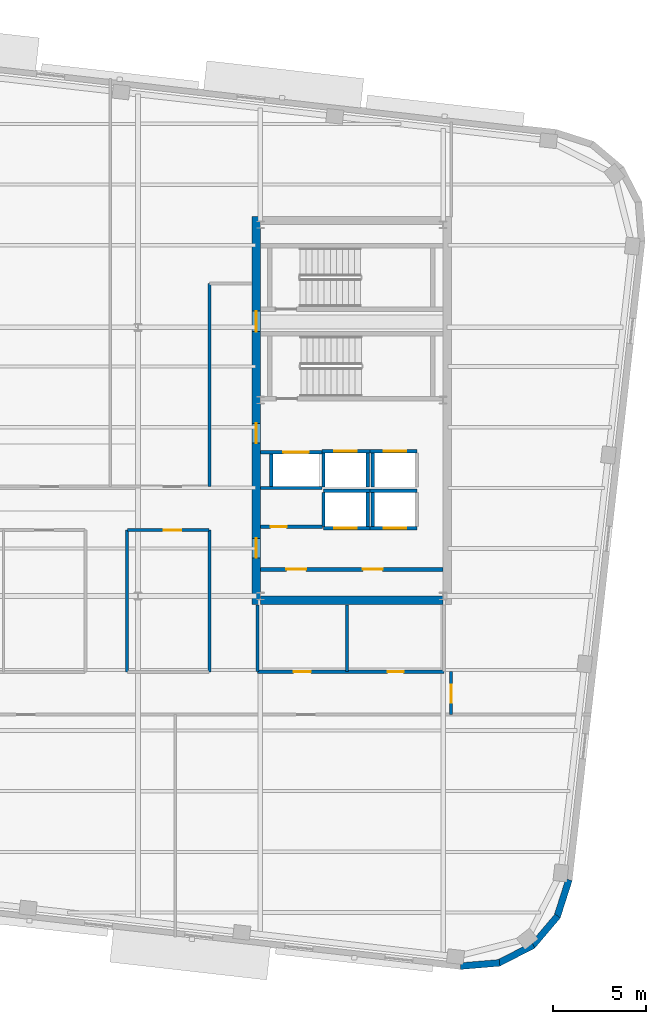
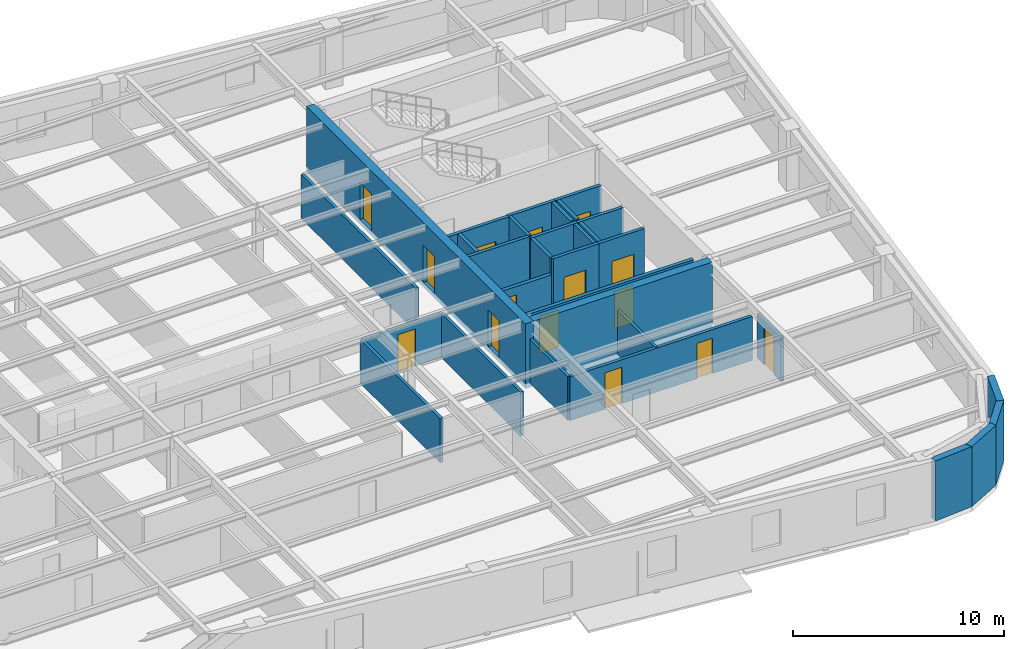
# One storey, part 7 of 13: 31 walls, 15 doors, 15 openings.
"""IFC4 building model written with IfcOpenShell, lengths in metres."""

from ifc_helpers import new_model, si_unit, direction, frame, frame_2d, origin, place, context, subcontext, project, spatial, rectangle, extrude, material, layer, layer_set, type_object, element, fill, save


model = new_model("IFC4")

# Units and contexts
model_context = context("Model", 3, precision=1e-05, world=origin(), true_north=direction((0.0, 1.0)))
body_context = subcontext(model_context, "Body", "Model", "MODEL_VIEW")
ifc_project = project(units=[si_unit("LENGTHUNIT", "METRE"), si_unit("AREAUNIT", "SQUARE_METRE"), si_unit("VOLUMEUNIT", "CUBIC_METRE"), si_unit("PLANEANGLEUNIT", "RADIAN"), si_unit("MASSUNIT", "GRAM", prefix="KILO")], contexts=[model_context])

# Site, building, storey
site_placement = place(None, origin())
site = spatial("IfcSite", under=ifc_project, at=site_placement, CompositionType="ELEMENT")
building_placement = place(site_placement, origin())
building = spatial("IfcBuilding", under=site, at=building_placement, Name="Kolvaren Arena Tower", CompositionType="ELEMENT")
storey_placement = place(building_placement, frame((0.0, 0.0, 243.449951171875)))
storey = spatial("IfcBuildingStorey", under=building, at=storey_placement, Name="L59", CompositionType="ELEMENT", Elevation=243.449951171875)

# Wall, opening, door
ifc_material_1 = material(Name="Gypsum board acoustic assembly", Category="gypsum")
ifc_layer_1 = layer(ifc_material_1, 0.159912109375)
ifc_layer_set_1 = layer_set([ifc_layer_1], Name="Gypsum board acoustic assembly")
wall_type_1 = type_object("IfcWallType", Name="CORR-160", PredefinedType="PARTITIONING", material=ifc_layer_set_1)
wall_1_placement = place(storey_placement, frame((43.43994140625, 22.97998046875, 0.0), z_axis=(0.0, 0.0, 1.0), x_axis=(1.0, 0.0, 0.0)))
wall_1 = element("IfcWall", 1, at=wall_1_placement, inside=storey, type_object=wall_type_1, Name="Interior Partition Wall (L59)", PredefinedType="PARTITIONING", context=body_context, shape_type="SweptSolid", body=[
    extrude(rectangle(XDim=4.360107421875, YDim=0.159912109375, at=frame_2d((2.18017578125, 0.0))), origin(), (0.0, 0.0, 1.0), 2.5400390625),
])
opening_1_placement = place(wall_1_placement, frame((1.93505859375, 0.0, 0.0)))
opening_1 = element("IfcOpeningElement", 2, at=opening_1_placement, cuts=wall_1, Name="Opening D05", PredefinedType="OPENING", context=body_context, shape_type="SweptSolid", body=[
    extrude(rectangle(XDim=0.949951171875, YDim=2.14990234375, at=frame_2d((0.47509765625, 1.074951171875))), frame((0.0, 0.08984375, 0.0), z_axis=(0.0, -1.0, 0.0), x_axis=(1.0, 0.0, 0.0)), (0.0, 0.0, 1.0), 0.179931640625),
])
ifc_material_2 = material(Name="Solid-core oak acoustic office door", Category="wood")
door_type_1 = type_object("IfcDoorType", Name="DOOR-OF-095", OperationType="NOTDEFINED", PredefinedType="DOOR", material=ifc_material_2)
door_1_placement = place(opening_1_placement, origin())
door_1 = element("IfcDoor", 3, at=door_1_placement, inside=storey, type_object=door_type_1, Name="Breakout Pantry and Kitchen Door (L59)", OperationType="SINGLE_SWING_LEFT", OverallHeight=2.14990234375, OverallWidth=0.949951171875, PredefinedType="DOOR", context=body_context, shape_type="SweptSolid", body=[
    extrude(rectangle(XDim=0.949951171875, YDim=2.14990234375, at=frame_2d((0.47509765625, 1.074951171875))), frame((0.0, 0.02490234375, 0.0), z_axis=(0.0, -1.0, 0.0), x_axis=(1.0, 0.0, 0.0)), (0.0, 0.0, 1.0), 0.050048828125),
])
fill(opening_1, door_1)

# Walls
for number, where, z_axis, x_axis, name in (
    (4, (43.419921875, 15.3798828125, 0.0), (0.0, 0.0, 1.0), (0.0, 1.0, 0.0), "Interior Partition Wall (L59)"),
    (5, (47.820068359375, 15.3798828125, 0.0), (0.0, 0.0, 1.0), (0.0, 1.0, 0.0), "Interior Partition Wall (L59)"),
):
    element("IfcWall", number, at=place(storey_placement, frame(where, z_axis=z_axis, x_axis=x_axis)), inside=storey, type_object=wall_type_1, Name=name, PredefinedType="PARTITIONING", context=body_context, shape_type="SweptSolid", body=[
        extrude(rectangle(XDim=7.60009765625, YDim=0.159912109375, at=frame_2d((3.800048828125, 0.0))), origin(), (0.0, 0.0, 1.0), 2.5400390625),
    ])
wall_2_placement = place(storey_placement, frame((47.820068359375, 25.320068359375, 0.0), z_axis=(0.0, 0.0, 1.0), x_axis=(0.0, 1.0, 0.0)))
element("IfcWall", 6, at=wall_2_placement, inside=storey, type_object=wall_type_1, Name="Interior Partition Wall (L59)", PredefinedType="PARTITIONING", context=body_context, shape_type="SweptSolid", body=[
    extrude(rectangle(XDim=10.8798828125, YDim=0.159912109375, at=frame_2d((5.43994140625, 0.0))), origin(), (0.0, 0.0, 1.0), 2.5400390625),
])

# Wall, opening, door
wall_3_placement = place(storey_placement, frame((60.780029296875, 13.10009765625, 0.0), z_axis=(0.0, 0.0, 1.0), x_axis=(0.0, 1.0, 0.0)))
wall_3 = element("IfcWall", 7, at=wall_3_placement, inside=storey, type_object=wall_type_1, Name="Interior Partition Wall (L59)", PredefinedType="PARTITIONING", context=body_context, shape_type="SweptSolid", body=[
    extrude(rectangle(XDim=2.2998046875, YDim=0.159912109375, at=frame_2d((1.14990234375, 0.0))), origin(), (0.0, 0.0, 1.0), 2.5400390625),
])
opening_2_placement = place(wall_3_placement, frame((0.64990234375, 0.0, 0.0)))
opening_2 = element("IfcOpeningElement", 8, at=opening_2_placement, cuts=wall_3, Name="Opening D05", PredefinedType="OPENING", context=body_context, shape_type="SweptSolid", body=[
    extrude(rectangle(XDim=0.949951171875, YDim=2.14990234375, at=frame_2d((0.47509765625, 1.074951171875))), frame((0.0, 0.08984375, 0.0), z_axis=(0.0, -1.0, 0.0), x_axis=(1.0, 0.0, 0.0)), (0.0, 0.0, 1.0), 0.179931640625),
])
door_2_placement = place(opening_2_placement, origin())
door_2 = element("IfcDoor", 9, at=door_2_placement, inside=storey, type_object=door_type_1, Name="East Wing Studio Door (L59)", OperationType="SINGLE_SWING_RIGHT", OverallHeight=2.14990234375, OverallWidth=0.949951171875, PredefinedType="DOOR", context=body_context, shape_type="SweptSolid", body=[
    extrude(rectangle(XDim=0.949951171875, YDim=2.14990234375, at=frame_2d((0.47509765625, 1.074951171875))), frame((0.0, 0.02490234375, 0.0), z_axis=(0.0, -1.0, 0.0), x_axis=(1.0, 0.0, 0.0)), (0.0, 0.0, 1.0), 0.050048828125),
])
fill(opening_2, door_2)

# Wall, openings, doors
ifc_material_3 = material(Name="Concrete 55 MPa", Category="concrete")
ifc_layer_2 = layer(ifc_material_3, 0.449951171875)
ifc_layer_set_2 = layer_set([ifc_layer_2], Name="Concrete 55 MPa")
wall_type_2 = type_object("IfcWallType", Name="CWALL-450", PredefinedType="SHEAR", material=ifc_layer_set_2)
wall_4_placement = place(storey_placement, frame((50.324951171875, 19.0, -0.27001953125), z_axis=(0.0, 0.0, 1.0), x_axis=(0.0, 1.0, 0.0)))
wall_4 = element("IfcWall", 10, at=wall_4_placement, inside=storey, type_object=wall_type_2, Name="Core Shear Wall EC-WEST (L59)", PredefinedType="SHEAR", context=body_context, shape_type="SweptSolid", body=[
    extrude(rectangle(XDim=20.800048828125, YDim=0.449951171875, at=frame_2d((10.39990234375, 0.0))), origin(), (0.0, 0.0, 1.0), 3.75),
])
opening_3_placement = place(wall_4_placement, frame((2.5, 0.0, 0.27001953125)))
opening_3 = element("IfcOpeningElement", 11, at=opening_3_placement, cuts=wall_4, Name="Opening D04", PredefinedType="OPENING", context=body_context, shape_type="SweptSolid", body=[
    extrude(rectangle(XDim=1.050048828125, YDim=2.14990234375, at=frame_2d((0.52490234375, 1.074951171875))), frame((0.0, 0.23486328125, 0.0), z_axis=(0.0, -1.0, 0.0), x_axis=(1.0, 0.0, 0.0)), (0.0, 0.0, 1.0), 0.469970703125),
])
opening_4_placement = place(wall_4_placement, frame((8.64990234375, 0.0, 0.27001953125)))
opening_4 = element("IfcOpeningElement", 12, at=opening_4_placement, cuts=wall_4, Name="Opening D04", PredefinedType="OPENING", context=body_context, shape_type="SweptSolid", body=[
    extrude(rectangle(XDim=1.050048828125, YDim=2.14990234375, at=frame_2d((0.52490234375, 1.074951171875))), frame((0.0, 0.23486328125, 0.0), z_axis=(0.0, -1.0, 0.0), x_axis=(1.0, 0.0, 0.0)), (0.0, 0.0, 1.0), 0.469970703125),
])
opening_5_placement = place(wall_4_placement, frame((14.6201171875, 0.0, 0.27001953125)))
opening_5 = element("IfcOpeningElement", 13, at=opening_5_placement, cuts=wall_4, Name="Opening D03", PredefinedType="OPENING", context=body_context, shape_type="SweptSolid", body=[
    extrude(rectangle(XDim=1.10009765625, YDim=2.14990234375, at=frame_2d((0.550048828125, 1.074951171875))), frame((0.0, 0.23486328125, 0.0), z_axis=(0.0, -1.0, 0.0), x_axis=(1.0, 0.0, 0.0)), (0.0, 0.0, 1.0), 0.469970703125),
])
ifc_material_4 = material(Name="Fire-rated steel lobby door", Category="steel")
door_type_2 = type_object("IfcDoorType", Name="DOOR-FF-105", OperationType="NOTDEFINED", PredefinedType="DOOR", material=ifc_material_4)
door_3_placement = place(opening_3_placement, origin())
door_3 = element("IfcDoor", 14, at=door_3_placement, inside=storey, type_object=door_type_2, Name="East Lift Lobby Fire Door (L59)", OperationType="SINGLE_SWING_RIGHT", OverallHeight=2.14990234375, OverallWidth=1.050048828125, PredefinedType="DOOR", context=body_context, shape_type="SweptSolid", body=[
    extrude(rectangle(XDim=1.050048828125, YDim=2.14990234375, at=frame_2d((0.52490234375, 1.074951171875))), frame((0.0, 0.02490234375, 0.0), z_axis=(0.0, -1.0, 0.0), x_axis=(1.0, 0.0, 0.0)), (0.0, 0.0, 1.0), 0.050048828125),
])
fill(opening_3, door_3)
door_4_placement = place(opening_4_placement, origin())
door_4 = element("IfcDoor", 15, at=door_4_placement, inside=storey, type_object=door_type_2, Name="East Firefighter Vestibule Door (L59)", OperationType="SINGLE_SWING_LEFT", OverallHeight=2.14990234375, OverallWidth=1.050048828125, PredefinedType="DOOR", context=body_context, shape_type="SweptSolid", body=[
    extrude(rectangle(XDim=1.050048828125, YDim=2.14990234375, at=frame_2d((0.52490234375, 1.074951171875))), frame((0.0, 0.02490234375, 0.0), z_axis=(0.0, -1.0, 0.0), x_axis=(1.0, 0.0, 0.0)), (0.0, 0.0, 1.0), 0.050048828125),
])
fill(opening_4, door_4)
ifc_material_5 = material(Name="Fire-rated steel exit stair door", Category="steel")
door_type_3 = type_object("IfcDoorType", Name="DOOR-ST-110", OperationType="NOTDEFINED", PredefinedType="DOOR", material=ifc_material_5)
door_5_placement = place(opening_5_placement, origin())
door_5 = element("IfcDoor", 16, at=door_5_placement, inside=storey, type_object=door_type_3, Name="Stair ST-E2 Vestibule Fire Door (L59)", OperationType="SINGLE_SWING_LEFT", OverallHeight=2.14990234375, OverallWidth=1.10009765625, PredefinedType="DOOR", context=body_context, shape_type="SweptSolid", body=[
    extrude(rectangle(XDim=1.10009765625, YDim=2.14990234375, at=frame_2d((0.550048828125, 1.074951171875))), frame((0.0, 0.02490234375, 0.0), z_axis=(0.0, -1.0, 0.0), x_axis=(1.0, 0.0, 0.0)), (0.0, 0.0, 1.0), 0.050048828125),
])
fill(opening_5, door_5)

# Walls
wall_5_placement = place(storey_placement, frame((50.550048828125, 19.22509765625, -0.27001953125), z_axis=(0.0, 0.0, 1.0), x_axis=(1.0, 0.0, 0.0)))
element("IfcWall", 17, at=wall_5_placement, inside=storey, type_object=wall_type_2, Name="Core Shear Wall EC-SOUTH (L59)", PredefinedType="SHEAR", context=body_context, shape_type="SweptSolid", body=[
    extrude(rectangle(XDim=9.800048828125, YDim=0.449951171875, at=frame_2d((4.89990234375, 0.0))), origin(), (0.0, 0.0, 1.0), 3.75),
])
ifc_material_6 = material(Name="Precast concrete C50/60", Category="concrete")
ifc_layer_3 = layer(ifc_material_6, 0.360107421875)
ifc_layer_set_3 = layer_set([ifc_layer_3], Name="Precast concrete C50/60")
wall_type_3 = type_object("IfcWallType", Name="EXT-PIER2", PredefinedType="SOLIDWALL", material=ifc_layer_set_3)
wall_6_placement = place(storey_placement, frame((63.370361328125, -0.199462890625, 0.0), z_axis=(0.0, 0.0, 1.0), x_axis=(-0.996562518477, -0.082844111233, 0.0)))
element("IfcWall", 18, at=wall_6_placement, inside=storey, type_object=wall_type_3, Name="Exterior Precast Masonry-Frame Wall (L59)", PredefinedType="SOLIDWALL", context=body_context, shape_type="SweptSolid", body=[
    extrude(rectangle(XDim=2.107177734375, YDim=0.360107421875, at=frame_2d((1.0537109375, 0.0))), origin(), (0.0, 0.0, 1.0), 3.47998046875),
])
for number, where, z_axis, x_axis, name in (
    (19, (65.176025390625, 0.745849609375, 0.0), (0.0, 0.0, 1.0), (-0.888985992199, -0.457934390142, 0.0), "Exterior Precast Masonry-Frame Wall (L59)"),
    (20, (66.482421875, 2.310302734375, 0.0), (0.0, 0.0, 1.0), (-0.646103249464, -0.763250018691, 0.0), "Exterior Precast Masonry-Frame Wall (L59)"),
):
    element("IfcWall", number, at=place(storey_placement, frame(where, z_axis=z_axis, x_axis=x_axis)), inside=storey, type_object=wall_type_3, Name=name, PredefinedType="SOLIDWALL", context=body_context, shape_type="SweptSolid", body=[
        extrude(rectangle(XDim=2.10693359375, YDim=0.360107421875, at=frame_2d((1.053466796875, 0.0))), origin(), (0.0, 0.0, 1.0), 3.47998046875),
    ])
wall_7_placement = place(storey_placement, frame((67.0908203125, 4.255615234375, 0.0), z_axis=(0.0, 0.0, 1.0), x_axis=(-0.304838787518, -0.952403965565, 0.0)))
element("IfcWall", 21, at=wall_7_placement, inside=storey, type_object=wall_type_3, Name="Exterior Precast Masonry-Frame Wall (L59)", PredefinedType="SOLIDWALL", context=body_context, shape_type="SweptSolid", body=[
    extrude(rectangle(XDim=2.107177734375, YDim=0.360107421875, at=frame_2d((1.0537109375, 0.0))), origin(), (0.0, 0.0, 1.0), 3.47998046875),
])

# Wall, openings, doors
ifc_material_7 = material(Name="Concrete 40 MPa", Category="concrete")
ifc_layer_4 = layer(ifc_material_7, 0.199951171875)
ifc_layer_set_4 = layer_set([ifc_layer_4], Name="Concrete 40 MPa")
wall_type_4 = type_object("IfcWallType", Name="LOBBY-200", PredefinedType="SOLIDWALL", material=ifc_layer_set_4)
wall_8_placement = place(storey_placement, frame((50.550048828125, 20.8798828125, 0.0), z_axis=(0.0, 0.0, 1.0), x_axis=(1.0, 0.0, 0.0)))
wall_8 = element("IfcWall", 22, at=wall_8_placement, inside=storey, type_object=wall_type_4, Name="Core Shaft Wall (L59)", PredefinedType="SOLIDWALL", context=body_context, shape_type="SweptSolid", body=[
    extrude(rectangle(XDim=9.800048828125, YDim=0.199951171875, at=frame_2d((4.89990234375, 0.0))), origin(), (0.0, 0.0, 1.0), 2.5400390625),
])
opening_6_placement = place(wall_8_placement, frame((1.39990234375, 0.0, 0.0)))
opening_6 = element("IfcOpeningElement", 23, at=opening_6_placement, cuts=wall_8, Name="Opening D04", PredefinedType="OPENING", context=body_context, shape_type="SweptSolid", body=[
    extrude(rectangle(XDim=1.050048828125, YDim=2.14990234375, at=frame_2d((0.52490234375, 1.074951171875))), frame((0.0, 0.10986328125, 0.0), z_axis=(0.0, -1.0, 0.0), x_axis=(1.0, 0.0, 0.0)), (0.0, 0.0, 1.0), 0.219970703125),
])
opening_7_placement = place(wall_8_placement, frame((5.5, 0.0, 0.0)))
opening_7 = element("IfcOpeningElement", 24, at=opening_7_placement, cuts=wall_8, Name="Opening D04", PredefinedType="OPENING", context=body_context, shape_type="SweptSolid", body=[
    extrude(rectangle(XDim=1.050048828125, YDim=2.14990234375, at=frame_2d((0.52490234375, 1.074951171875))), frame((0.0, 0.10986328125, 0.0), z_axis=(0.0, -1.0, 0.0), x_axis=(1.0, 0.0, 0.0)), (0.0, 0.0, 1.0), 0.219970703125),
])
door_6_placement = place(opening_6_placement, origin())
door_6 = element("IfcDoor", 25, at=door_6_placement, inside=storey, type_object=door_type_2, Name="East Telecom Room Fire Door (L59)", OperationType="SINGLE_SWING_RIGHT", OverallHeight=2.14990234375, OverallWidth=1.050048828125, PredefinedType="DOOR", context=body_context, shape_type="SweptSolid", body=[
    extrude(rectangle(XDim=1.050048828125, YDim=2.14990234375, at=frame_2d((0.52490234375, 1.074951171875))), frame((0.0, 0.02490234375, 0.0), z_axis=(0.0, -1.0, 0.0), x_axis=(1.0, 0.0, 0.0)), (0.0, 0.0, 1.0), 0.050048828125),
])
fill(opening_6, door_6)
door_7_placement = place(opening_7_placement, origin())
door_7 = element("IfcDoor", 26, at=door_7_placement, inside=storey, type_object=door_type_2, Name="East Records Room Fire Door (L59)", OperationType="SINGLE_SWING_LEFT", OverallHeight=2.14990234375, OverallWidth=1.050048828125, PredefinedType="DOOR", context=body_context, shape_type="SweptSolid", body=[
    extrude(rectangle(XDim=1.050048828125, YDim=2.14990234375, at=frame_2d((0.52490234375, 1.074951171875))), frame((0.0, 0.02490234375, 0.0), z_axis=(0.0, -1.0, 0.0), x_axis=(1.0, 0.0, 0.0)), (0.0, 0.0, 1.0), 0.050048828125),
])
fill(opening_7, door_7)

# Wall, opening, door
wall_9_placement = place(storey_placement, frame((50.550048828125, 23.159912109375, 0.0), z_axis=(0.0, 0.0, 1.0), x_axis=(1.0, 0.0, 0.0)))
wall_9 = element("IfcWall", 27, at=wall_9_placement, inside=storey, type_object=wall_type_4, Name="Core Shaft Wall (L59)", PredefinedType="SOLIDWALL", context=body_context, shape_type="SweptSolid", body=[
    extrude(rectangle(XDim=3.329833984375, YDim=0.199951171875, at=frame_2d((1.6650390625, 0.0))), origin(), (0.0, 0.0, 1.0), 2.5400390625),
])
opening_8_placement = place(wall_9_placement, frame((0.550048828125, 0.0, 0.0)))
opening_8 = element("IfcOpeningElement", 28, at=opening_8_placement, cuts=wall_9, Name="Opening D09", PredefinedType="OPENING", context=body_context, shape_type="SweptSolid", body=[
    extrude(rectangle(XDim=0.860107421875, YDim=2.050048828125, at=frame_2d((0.43017578125, 1.02490234375))), frame((0.0, 0.10986328125, 0.0), z_axis=(0.0, -1.0, 0.0), x_axis=(1.0, 0.0, 0.0)), (0.0, 0.0, 1.0), 0.219970703125),
])
ifc_material_8 = material(Name="Fire-rated steel riser access door", Category="steel")
door_type_4 = type_object("IfcDoorType", Name="DOOR-RS-086", OperationType="NOTDEFINED", PredefinedType="DOOR", material=ifc_material_8)
door_8_placement = place(opening_8_placement, origin())
door_8 = element("IfcDoor", 29, at=door_8_placement, inside=storey, type_object=door_type_4, Name="East AV Riser Closet Door (L59)", OperationType="SINGLE_SWING_LEFT", OverallHeight=2.050048828125, OverallWidth=0.860107421875, PredefinedType="DOOR", context=body_context, shape_type="SweptSolid", body=[
    extrude(rectangle(XDim=0.860107421875, YDim=2.050048828125, at=frame_2d((0.43017578125, 1.02490234375))), frame((0.0, 0.02490234375, 0.0), z_axis=(0.0, -1.0, 0.0), x_axis=(1.0, 0.0, 0.0)), (0.0, 0.0, 1.0), 0.050048828125),
])
fill(opening_8, door_8)

# Wall
ifc_material_9 = material(Name="Concrete 45 MPa", Category="concrete")
ifc_layer_5 = layer(ifc_material_9, 0.25)
ifc_layer_set_5 = layer_set([ifc_layer_5], Name="Concrete 45 MPa")
wall_type_5 = type_object("IfcWallType", Name="SHAFT-250", PredefinedType="SOLIDWALL", material=ifc_layer_set_5)
wall_10_placement = place(storey_placement, frame((53.93994140625, 25.10498046875, 0.0), z_axis=(0.0, 0.0, 1.0), x_axis=(1.0, 0.0, 0.0)))
element("IfcWall", 30, at=wall_10_placement, inside=storey, type_object=wall_type_5, Name="Core Shaft Wall (L59)", PredefinedType="SOLIDWALL", context=body_context, shape_type="SweptSolid", body=[
    extrude(rectangle(XDim=2.5, YDim=0.179931640625, at=frame_2d((1.25, 0.0))), origin(), (0.0, 0.0, 1.0), 3.47998046875),
])

# Wall, opening, door
wall_11_placement = place(storey_placement, frame((53.93994140625, 23.094970703125, 0.0), z_axis=(0.0, 0.0, 1.0), x_axis=(1.0, 0.0, 0.0)))
wall_11 = element("IfcWall", 31, at=wall_11_placement, inside=storey, type_object=wall_type_5, Name="Core Shaft Wall (L59)", PredefinedType="SOLIDWALL", context=body_context, shape_type="SweptSolid", body=[
    extrude(rectangle(XDim=2.5, YDim=0.179931640625, at=frame_2d((1.25, 0.0))), origin(), (0.0, 0.0, 1.0), 3.47998046875),
])
opening_9_placement = place(wall_11_placement, frame((0.580078125, 0.0, 0.0)))
opening_9 = element("IfcOpeningElement", 32, at=opening_9_placement, cuts=wall_11, Name="Opening LD1", PredefinedType="OPENING", context=body_context, shape_type="SweptSolid", body=[
    extrude(rectangle(XDim=1.199951171875, YDim=2.199951171875, at=frame_2d((0.60009765625, 1.10009765625))), frame((0.0, 0.099853515625, 0.0), z_axis=(0.0, -1.0, 0.0), x_axis=(1.0, 0.0, 0.0)), (0.0, 0.0, 1.0), 0.199951171875),
])
ifc_material_10 = material(Name="Stainless steel passenger lift landing door", Category="steel")
door_type_5 = type_object("IfcDoorType", Name="DOOR-LD-120", OperationType="DOUBLE_DOOR_SLIDING", PredefinedType="DOOR", material=ifc_material_10)
door_9_placement = place(opening_9_placement, origin())
door_9 = element("IfcDoor", 33, at=door_9_placement, inside=storey, type_object=door_type_5, Name="Lift EL-HR1 Landing Door (L59)", OperationType="DOUBLE_DOOR_SLIDING", OverallHeight=2.199951171875, OverallWidth=1.199951171875, PredefinedType="DOOR", context=body_context, shape_type="SweptSolid", body=[
    extrude(rectangle(XDim=1.199951171875, YDim=2.199951171875, at=frame_2d((0.60009765625, 1.10009765625))), frame((0.0, 0.02490234375, 0.0), z_axis=(0.0, -1.0, 0.0), x_axis=(1.0, 0.0, 0.0)), (0.0, 0.0, 1.0), 0.050048828125),
])
fill(opening_9, door_9)

# Walls
for number, where, z_axis, x_axis, name in (
    (34, (53.93994140625, 23.18505859375, 0.0), (0.0, 0.0, 1.0), (0.0, 1.0, 0.0), "Core Shaft Wall (L59)"),
    (35, (56.300048828125, 23.18505859375, 0.0), (0.0, 0.0, 1.0), (0.0, 1.0, 0.0), "Core Shaft Wall (L59)"),
):
    element("IfcWall", number, at=place(storey_placement, frame(where, z_axis=z_axis, x_axis=x_axis)), inside=storey, type_object=wall_type_5, Name=name, PredefinedType="SOLIDWALL", context=body_context, shape_type="SweptSolid", body=[
        extrude(rectangle(XDim=1.829833984375, YDim=0.179931640625, at=frame_2d((0.9150390625, 0.0))), origin(), (0.0, 0.0, 1.0), 3.47998046875),
    ])
wall_12_placement = place(storey_placement, frame((56.43994140625, 25.10498046875, 0.0), z_axis=(0.0, 0.0, 1.0), x_axis=(1.0, 0.0, 0.0)))
element("IfcWall", 36, at=wall_12_placement, inside=storey, type_object=wall_type_5, Name="Core Shaft Wall (L59)", PredefinedType="SOLIDWALL", context=body_context, shape_type="SweptSolid", body=[
    extrude(rectangle(XDim=2.5, YDim=0.179931640625, at=frame_2d((1.25, 0.0))), origin(), (0.0, 0.0, 1.0), 3.47998046875),
])

# Wall, opening, door
wall_13_placement = place(storey_placement, frame((56.43994140625, 23.094970703125, 0.0), z_axis=(0.0, 0.0, 1.0), x_axis=(1.0, 0.0, 0.0)))
wall_13 = element("IfcWall", 37, at=wall_13_placement, inside=storey, type_object=wall_type_5, Name="Core Shaft Wall (L59)", PredefinedType="SOLIDWALL", context=body_context, shape_type="SweptSolid", body=[
    extrude(rectangle(XDim=2.5, YDim=0.179931640625, at=frame_2d((1.25, 0.0))), origin(), (0.0, 0.0, 1.0), 3.47998046875),
])
opening_10_placement = place(wall_13_placement, frame((0.719970703125, 0.0, 0.0)))
opening_10 = element("IfcOpeningElement", 38, at=opening_10_placement, cuts=wall_13, Name="Opening LD1", PredefinedType="OPENING", context=body_context, shape_type="SweptSolid", body=[
    extrude(rectangle(XDim=1.199951171875, YDim=2.199951171875, at=frame_2d((0.60009765625, 1.10009765625))), frame((0.0, 0.099853515625, 0.0), z_axis=(0.0, -1.0, 0.0), x_axis=(1.0, 0.0, 0.0)), (0.0, 0.0, 1.0), 0.199951171875),
])
door_10_placement = place(opening_10_placement, origin())
door_10 = element("IfcDoor", 39, at=door_10_placement, inside=storey, type_object=door_type_5, Name="Lift EL-HR2 Landing Door (L59)", OperationType="DOUBLE_DOOR_SLIDING", OverallHeight=2.199951171875, OverallWidth=1.199951171875, PredefinedType="DOOR", context=body_context, shape_type="SweptSolid", body=[
    extrude(rectangle(XDim=1.199951171875, YDim=2.199951171875, at=frame_2d((0.60009765625, 1.10009765625))), frame((0.0, 0.02490234375, 0.0), z_axis=(0.0, -1.0, 0.0), x_axis=(1.0, 0.0, 0.0)), (0.0, 0.0, 1.0), 0.050048828125),
])
fill(opening_10, door_10)

# Wall
wall_14_placement = place(storey_placement, frame((56.580078125, 23.18505859375, 0.0), z_axis=(0.0, 0.0, 1.0), x_axis=(0.0, 1.0, 0.0)))
element("IfcWall", 40, at=wall_14_placement, inside=storey, type_object=wall_type_5, Name="Core Shaft Wall (L59)", PredefinedType="SOLIDWALL", context=body_context, shape_type="SweptSolid", body=[
    extrude(rectangle(XDim=1.829833984375, YDim=0.179931640625, at=frame_2d((0.9150390625, 0.0))), origin(), (0.0, 0.0, 1.0), 3.47998046875),
])

# Wall, opening, door
wall_15_placement = place(storey_placement, frame((53.864990234375, 27.205078125, 0.0), z_axis=(0.0, 0.0, 1.0), x_axis=(1.0, 0.0, 0.0)))
wall_15 = element("IfcWall", 41, at=wall_15_placement, inside=storey, type_object=wall_type_5, Name="Core Shaft Wall (L59)", PredefinedType="SOLIDWALL", context=body_context, shape_type="SweptSolid", body=[
    extrude(rectangle(XDim=2.574951171875, YDim=0.179931640625, at=frame_2d((1.28759765625, 0.0))), origin(), (0.0, 0.0, 1.0), 3.47998046875),
])
opening_11_placement = place(wall_15_placement, frame((0.655029296875, 0.0, 0.0)))
opening_11 = element("IfcOpeningElement", 42, at=opening_11_placement, cuts=wall_15, Name="Opening LD1", PredefinedType="OPENING", context=body_context, shape_type="SweptSolid", body=[
    extrude(rectangle(XDim=1.199951171875, YDim=2.199951171875, at=frame_2d((0.60009765625, 1.10009765625))), frame((0.0, 0.099853515625, 0.0), z_axis=(0.0, -1.0, 0.0), x_axis=(1.0, 0.0, 0.0)), (0.0, 0.0, 1.0), 0.199951171875),
])
door_11_placement = place(opening_11_placement, origin())
door_11 = element("IfcDoor", 43, at=door_11_placement, inside=storey, type_object=door_type_5, Name="Lift EL-HR3 Landing Door (L59)", OperationType="DOUBLE_DOOR_SLIDING", OverallHeight=2.199951171875, OverallWidth=1.199951171875, PredefinedType="DOOR", context=body_context, shape_type="SweptSolid", body=[
    extrude(rectangle(XDim=1.199951171875, YDim=2.199951171875, at=frame_2d((0.60009765625, 1.10009765625))), frame((0.0, 0.02490234375, 0.0), z_axis=(0.0, -1.0, 0.0), x_axis=(1.0, 0.0, 0.0)), (0.0, 0.0, 1.0), 0.050048828125),
])
fill(opening_11, door_11)

# Walls
for number, where, z_axis, x_axis, name in (
    (44, (53.93994140625, 25.284912109375, 0.0), (0.0, 0.0, 1.0), (0.0, 1.0, 0.0), "Core Shaft Wall (L59)"),
    (45, (56.300048828125, 25.284912109375, 0.0), (0.0, 0.0, 1.0), (0.0, 1.0, 0.0), "Core Shaft Wall (L59)"),
):
    element("IfcWall", number, at=place(storey_placement, frame(where, z_axis=z_axis, x_axis=x_axis)), inside=storey, type_object=wall_type_5, Name=name, PredefinedType="SOLIDWALL", context=body_context, shape_type="SweptSolid", body=[
        extrude(rectangle(XDim=1.830078125, YDim=0.179931640625, at=frame_2d((0.9150390625, 0.0))), origin(), (0.0, 0.0, 1.0), 3.47998046875),
    ])

# Wall, opening, door
wall_16_placement = place(storey_placement, frame((56.43994140625, 27.205078125, 0.0), z_axis=(0.0, 0.0, 1.0), x_axis=(1.0, 0.0, 0.0)))
wall_16 = element("IfcWall", 46, at=wall_16_placement, inside=storey, type_object=wall_type_5, Name="Core Shaft Wall (L59)", PredefinedType="SOLIDWALL", context=body_context, shape_type="SweptSolid", body=[
    extrude(rectangle(XDim=2.5, YDim=0.179931640625, at=frame_2d((1.25, 0.0))), origin(), (0.0, 0.0, 1.0), 3.47998046875),
])
opening_12_placement = place(wall_16_placement, frame((0.719970703125, 0.0, 0.0)))
opening_12 = element("IfcOpeningElement", 47, at=opening_12_placement, cuts=wall_16, Name="Opening LD1", PredefinedType="OPENING", context=body_context, shape_type="SweptSolid", body=[
    extrude(rectangle(XDim=1.199951171875, YDim=2.199951171875, at=frame_2d((0.60009765625, 1.10009765625))), frame((0.0, 0.099853515625, 0.0), z_axis=(0.0, -1.0, 0.0), x_axis=(1.0, 0.0, 0.0)), (0.0, 0.0, 1.0), 0.199951171875),
])
door_12_placement = place(opening_12_placement, origin())
door_12 = element("IfcDoor", 48, at=door_12_placement, inside=storey, type_object=door_type_5, Name="Lift EL-HR4 Landing Door (L59)", OperationType="DOUBLE_DOOR_SLIDING", OverallHeight=2.199951171875, OverallWidth=1.199951171875, PredefinedType="DOOR", context=body_context, shape_type="SweptSolid", body=[
    extrude(rectangle(XDim=1.199951171875, YDim=2.199951171875, at=frame_2d((0.60009765625, 1.10009765625))), frame((0.0, 0.02490234375, 0.0), z_axis=(0.0, -1.0, 0.0), x_axis=(1.0, 0.0, 0.0)), (0.0, 0.0, 1.0), 0.050048828125),
])
fill(opening_12, door_12)

# Wall
wall_17_placement = place(storey_placement, frame((56.580078125, 25.284912109375, 0.0), z_axis=(0.0, 0.0, 1.0), x_axis=(0.0, 1.0, 0.0)))
element("IfcWall", 49, at=wall_17_placement, inside=storey, type_object=wall_type_5, Name="Core Shaft Wall (L59)", PredefinedType="SOLIDWALL", context=body_context, shape_type="SweptSolid", body=[
    extrude(rectangle(XDim=1.830078125, YDim=0.179931640625, at=frame_2d((0.9150390625, 0.0))), origin(), (0.0, 0.0, 1.0), 3.47998046875),
])

# Wall, opening, door
wall_18_placement = place(storey_placement, frame((50.550048828125, 27.155029296875, 0.0), z_axis=(0.0, 0.0, 1.0), x_axis=(1.0, 0.0, 0.0)))
wall_18 = element("IfcWall", 50, at=wall_18_placement, inside=storey, type_object=wall_type_5, Name="Core Shaft Wall (L59)", PredefinedType="SOLIDWALL", context=body_context, shape_type="SweptSolid", body=[
    extrude(rectangle(XDim=3.31494140625, YDim=0.179931640625, at=frame_2d((1.657470703125, 0.0))), origin(), (0.0, 0.0, 1.0), 3.47998046875),
])
opening_13_placement = place(wall_18_placement, frame((1.235107421875, 0.0, 0.0)))
opening_13 = element("IfcOpeningElement", 51, at=opening_13_placement, cuts=wall_18, Name="Opening LD2", PredefinedType="OPENING", context=body_context, shape_type="SweptSolid", body=[
    extrude(rectangle(XDim=1.35009765625, YDim=2.300048828125, at=frame_2d((0.675048828125, 1.14990234375))), frame((0.0, 0.099853515625, 0.0), z_axis=(0.0, -1.0, 0.0), x_axis=(1.0, 0.0, 0.0)), (0.0, 0.0, 1.0), 0.199951171875),
])
ifc_material_11 = material(Name="Stainless steel firefighter lift landing door", Category="steel")
door_type_6 = type_object("IfcDoorType", Name="DOOR-LD-135", OperationType="DOUBLE_DOOR_SLIDING", PredefinedType="DOOR", material=ifc_material_11)
door_13_placement = place(opening_13_placement, origin())
door_13 = element("IfcDoor", 52, at=door_13_placement, inside=storey, type_object=door_type_6, Name="Firefighter Lift FF-E1 Landing Door (L59)", OperationType="DOUBLE_DOOR_SLIDING", OverallHeight=2.300048828125, OverallWidth=1.35009765625, PredefinedType="DOOR", context=body_context, shape_type="SweptSolid", body=[
    extrude(rectangle(XDim=1.35009765625, YDim=2.300048828125, at=frame_2d((0.675048828125, 1.14990234375))), frame((0.0, 0.02490234375, 0.0), z_axis=(0.0, -1.0, 0.0), x_axis=(1.0, 0.0, 0.0)), (0.0, 0.0, 1.0), 0.050048828125),
])
fill(opening_13, door_13)

# Walls
wall_19_placement = place(storey_placement, frame((50.550048828125, 25.2451171875, 0.0), z_axis=(0.0, 0.0, 1.0), x_axis=(1.0, 0.0, 0.0)))
element("IfcWall", 53, at=wall_19_placement, inside=storey, type_object=wall_type_5, Name="Core Shaft Wall (L59)", PredefinedType="SOLIDWALL", context=body_context, shape_type="SweptSolid", body=[
    extrude(rectangle(XDim=3.31494140625, YDim=0.179931640625, at=frame_2d((1.657470703125, 0.0))), origin(), (0.0, 0.0, 1.0), 3.47998046875),
])
wall_20_placement = place(storey_placement, frame((51.1298828125, 25.3349609375, 0.0), z_axis=(0.0, 0.0, 1.0), x_axis=(0.0, 1.0, 0.0)))
element("IfcWall", 54, at=wall_20_placement, inside=storey, type_object=wall_type_5, Name="Core Shaft Wall (L59)", PredefinedType="SOLIDWALL", context=body_context, shape_type="SweptSolid", body=[
    extrude(rectangle(XDim=1.72998046875, YDim=0.179931640625, at=frame_2d((0.864990234375, 0.0))), origin(), (0.0, 0.0, 1.0), 3.47998046875),
])

# Wall, openings, doors
wall_21_placement = place(storey_placement, frame((50.39990234375, 15.39990234375, 0.0), z_axis=(0.0, 0.0, 1.0), x_axis=(1.0, 0.0, 0.0)))
wall_21 = element("IfcWall", 55, at=wall_21_placement, inside=storey, type_object=wall_type_5, Name="Interior Partition Wall (L59)", PredefinedType="SOLIDWALL", context=body_context, shape_type="SweptSolid", body=[
    extrude(rectangle(XDim=10.0, YDim=0.179931640625, at=frame_2d((5.0, 0.0))), origin(), (0.0, 0.0, 1.0), 2.5400390625),
])
opening_14_placement = place(wall_21_placement, frame((1.93994140625, 0.0, 0.0)))
opening_14 = element("IfcOpeningElement", 56, at=opening_14_placement, cuts=wall_21, Name="Opening D07", PredefinedType="OPENING", context=body_context, shape_type="SweptSolid", body=[
    extrude(rectangle(XDim=0.919921875, YDim=2.10009765625, at=frame_2d((0.4599609375, 1.050048828125))), frame((0.0, 0.099853515625, 0.0), z_axis=(0.0, -1.0, 0.0), x_axis=(1.0, 0.0, 0.0)), (0.0, 0.0, 1.0), 0.199951171875),
])
opening_15_placement = place(wall_21_placement, frame((6.969970703125, 0.0, 0.0)))
opening_15 = element("IfcOpeningElement", 57, at=opening_15_placement, cuts=wall_21, Name="Opening D09", PredefinedType="OPENING", context=body_context, shape_type="SweptSolid", body=[
    extrude(rectangle(XDim=0.860107421875, YDim=2.050048828125, at=frame_2d((0.43017578125, 1.02490234375))), frame((0.0, 0.099853515625, 0.0), z_axis=(0.0, -1.0, 0.0), x_axis=(1.0, 0.0, 0.0)), (0.0, 0.0, 1.0), 0.199951171875),
])
door_14_placement = place(opening_15_placement, origin())
door_14 = element("IfcDoor", 58, at=door_14_placement, inside=storey, type_object=door_type_4, Name="Electrical Riser Closet Door (L59)", OperationType="SINGLE_SWING_RIGHT", OverallHeight=2.050048828125, OverallWidth=0.860107421875, PredefinedType="DOOR", context=body_context, shape_type="SweptSolid", body=[
    extrude(rectangle(XDim=0.860107421875, YDim=2.050048828125, at=frame_2d((0.43017578125, 1.02490234375))), frame((0.0, 0.02490234375, 0.0), z_axis=(0.0, -1.0, 0.0), x_axis=(1.0, 0.0, 0.0)), (0.0, 0.0, 1.0), 0.050048828125),
])
fill(opening_15, door_14)
ifc_material_12 = material(Name="Laminate universal washroom door", Category="wood")
door_type_7 = type_object("IfcDoorType", Name="DOOR-WC-092", OperationType="NOTDEFINED", PredefinedType="DOOR", material=ifc_material_12)
door_15_placement = place(opening_14_placement, origin())
door_15 = element("IfcDoor", 59, at=door_15_placement, inside=storey, type_object=door_type_7, Name="Cleaner and Janitor Store Door (L59)", OperationType="SINGLE_SWING_LEFT", OverallHeight=2.10009765625, OverallWidth=0.919921875, PredefinedType="DOOR", context=body_context, shape_type="SweptSolid", body=[
    extrude(rectangle(XDim=0.919921875, YDim=2.10009765625, at=frame_2d((0.4599609375, 1.050048828125))), frame((0.0, 0.02490234375, 0.0), z_axis=(0.0, -1.0, 0.0), x_axis=(1.0, 0.0, 0.0)), (0.0, 0.0, 1.0), 0.050048828125),
])
fill(opening_14, door_15)

# Walls
ifc_material_13 = material(Name="Moisture-resistant gypsum assembly", Category="gypsum")
ifc_layer_6 = layer(ifc_material_13, 0.14990234375)
ifc_layer_set_6 = layer_set([ifc_layer_6], Name="Moisture-resistant gypsum assembly")
wall_type_6 = type_object("IfcWallType", Name="WETW-150", PredefinedType="PARTITIONING", material=ifc_layer_set_6)
for number, where, z_axis, x_axis, name in (
    (60, (55.199951171875, 15.39990234375, 0.0), (0.0, 0.0, 1.0), (0.0, 1.0, 0.0), "Interior Partition Wall (L59)"),
    (61, (50.39990234375, 15.39990234375, 0.0), (0.0, 0.0, 1.0), (0.0, 1.0, 0.0), "Interior Partition Wall (L59)"),
):
    element("IfcWall", number, at=place(storey_placement, frame(where, z_axis=z_axis, x_axis=x_axis)), inside=storey, type_object=wall_type_6, Name=name, PredefinedType="PARTITIONING", context=body_context, shape_type="SweptSolid", body=[
        extrude(rectangle(XDim=3.580078125, YDim=0.14990234375, at=frame_2d((1.7900390625, 0.0))), origin(), (0.0, 0.0, 1.0), 2.5400390625),
    ])

save(model, "model.ifc")
